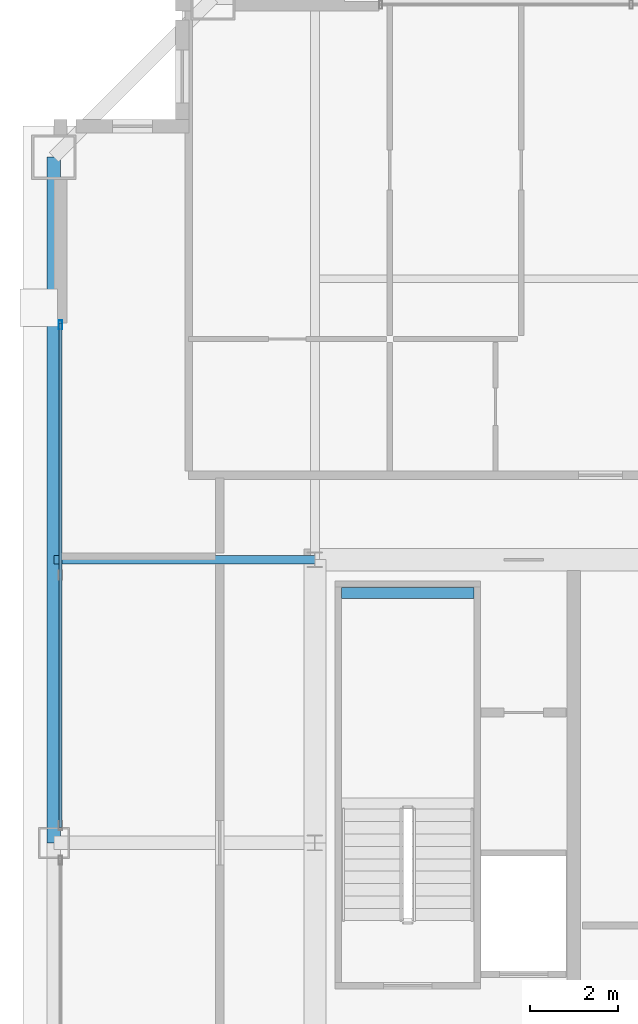
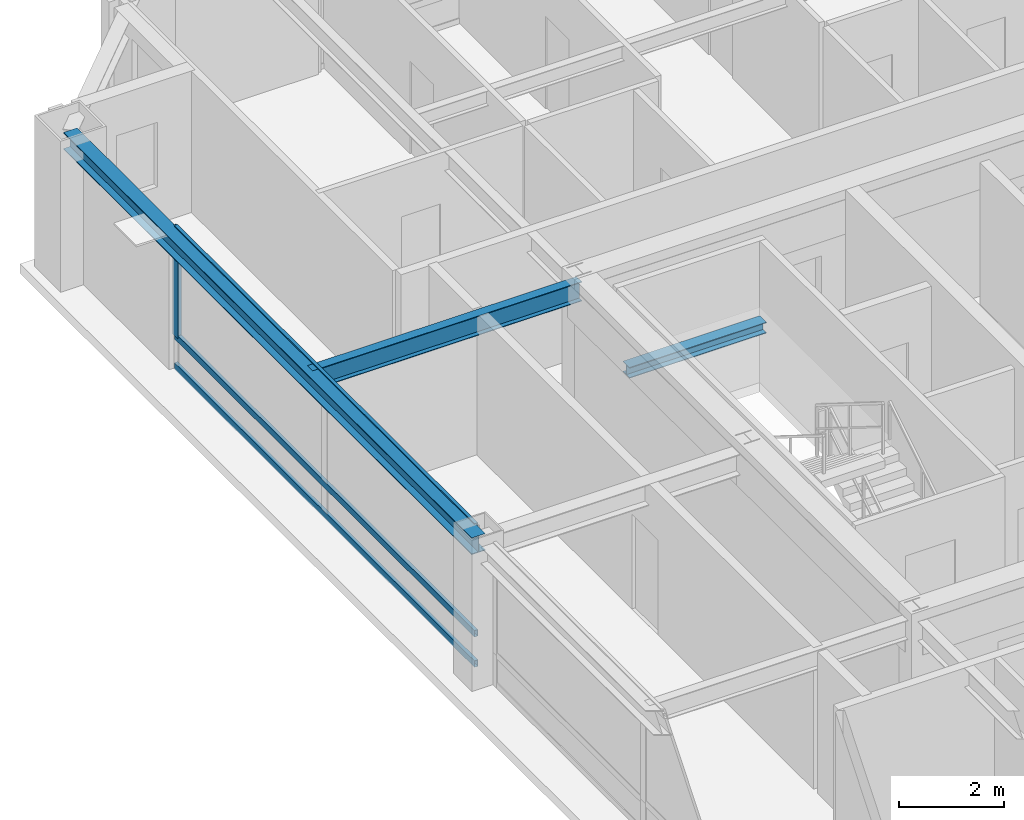
# One storey, part 12 of 35: 4 members, 3 beams, 1 element without a shape of its own.
"""IFC4 building model written with IfcOpenShell, lengths in metres."""

from ifc_helpers import new_model, si_unit, direction, frame, origin, origin_2d, place, context, subcontext, project, spatial, hollow_rectangle, i_section, extrude, source, transform, mapped, material, layer, layer_set, material_profile, profile_set, type_object, element, aggregate, save


model = new_model("IFC4")

# Units and contexts
model_context = context("Model", 3, precision=1e-05, world=origin(), true_north=direction((0.0, 1.0)))
body_context = subcontext(model_context, "Body", "Model", "MODEL_VIEW")
ifc_project = project(units=[si_unit("LENGTHUNIT", "METRE"), si_unit("AREAUNIT", "SQUARE_METRE"), si_unit("VOLUMEUNIT", "CUBIC_METRE"), si_unit("PLANEANGLEUNIT", "RADIAN"), si_unit("MASSUNIT", "GRAM", prefix="KILO"), si_unit("THERMODYNAMICTEMPERATUREUNIT", "KELVIN"), si_unit("POWERUNIT", "WATT")], contexts=[model_context])

# Site, building, storey
site_placement = place(None, origin())
site = spatial("IfcSite", under=ifc_project, at=site_placement, CompositionType="ELEMENT")
building_placement = place(site_placement, origin())
building = spatial("IfcBuilding", under=site, at=building_placement, Name="Yuzanri Waterfront Tower", CompositionType="ELEMENT")
storey_placement = place(building_placement, frame((0.0, 0.0, 332.199951171875)))
storey = spatial("IfcBuildingStorey", under=building, at=storey_placement, Name="L89", CompositionType="ELEMENT", Elevation=332.199951171875)

# Beams
ifc_material_1 = material(Name="Steel Q355B", Category="steel")
ifc_material_profile_1 = material_profile(ifc_material_1, i_section(OverallWidth=0.300048828125, OverallDepth=0.389892578125, WebThickness=0.010009765625, FlangeThickness=0.01611328125, at=origin_2d()), Name="HM 390x300x10x16")
ifc_profile_set_1 = profile_set([ifc_material_profile_1], Name="Steel Q355B")
beam_type_1 = type_object("IfcBeamType", Name="Perimeter Spandrel Q355B HM 390x300", PredefinedType="SPANDREL", material=ifc_profile_set_1)
shared_shape_1 = source(origin(), body_context, "Body", "SweptSolid", [
    extrude(i_section(OverallWidth=0.300048828125, OverallDepth=0.389892578125, WebThickness=0.010009765625, FlangeThickness=0.01611328125, at=origin_2d()), origin(), (0.0, 0.0, 1.0), 15.5),
])
beam_1_placement = place(storey_placement, frame((17.89990234375, 41.300048828125, 3.0849609375), z_axis=(0.0, -1.0, 0.0), x_axis=(1.0, 0.0, 0.0)))
element("IfcBeam", 1, at=beam_1_placement, inside=storey, type_object=beam_type_1, Name="L89 Perimeter Spandrel W3-W2", PredefinedType="SPANDREL", context=body_context, shape_type="MappedRepresentation", body=[
    mapped(shared_shape_1, transform((0.0, 0.0, 0.0), scale=1.0)),
])
ifc_material_2 = material(Name="Steel Q355B", Category="steel")
ifc_material_profile_2 = material_profile(ifc_material_2, i_section(OverallWidth=0.199951171875, OverallDepth=0.449951171875, WebThickness=0.009033203125, FlangeThickness=0.013916015625, at=origin_2d()), Name="HN 450x200x9x14")
ifc_profile_set_2 = profile_set([ifc_material_profile_2], Name="Steel Q355B")
beam_type_2 = type_object("IfcBeamType", Name="Secondary Floor Beam Q355B HN 450x200", PredefinedType="BEAM", material=ifc_profile_set_2)
shared_shape_2 = source(origin(), body_context, "Body", "SweptSolid", [
    extrude(i_section(OverallWidth=0.199951171875, OverallDepth=0.449951171875, WebThickness=0.009033203125, FlangeThickness=0.013916015625, at=origin_2d()), origin(), (0.0, 0.0, 1.0), 5.900146484375),
])
beam_2_placement = place(storey_placement, frame((23.800048828125, 32.199951171875, 3.054931640625), z_axis=(-1.0, 0.0, 0.0), x_axis=(0.0, -1.0, 0.0)))
element("IfcBeam", 2, at=beam_2_placement, inside=storey, type_object=beam_type_2, Name="L89 West-North Core Line Beam", PredefinedType="BEAM", context=body_context, shape_type="MappedRepresentation", body=[
    mapped(shared_shape_2, transform((0.0, 0.0, 0.0), scale=1.0)),
])

# Curtain wall, members
ifc_material_3 = material(Name="Anodized Architectural Bronze", Category="metal")
ifc_layer = layer(ifc_material_3, 0.159912109375)
ifc_layer_set = layer_set([ifc_layer], Name="Anodized Architectural Bronze")
curtain_wall_type = type_object("IfcCurtainWallType", Name="Anodized Bronze High-Rise Penthouse High-Wind Unitized Curtain Wall 6900", PredefinedType="NOTDEFINED", material=ifc_layer_set)
curtain_wall_placement = place(storey_placement, origin())
curtain_wall = element("IfcCurtainWall", 3, at=curtain_wall_placement, inside=storey, type_object=curtain_wall_type, Name="L89 Curtain Wall CW-L89-WR", PredefinedType="NOTDEFINED")
ifc_material_4 = material(Name="Anodized Architectural Bronze", Category="metal")
ifc_material_profile_3 = material_profile(ifc_material_4, hollow_rectangle(XDim=0.074951171875, YDim=0.199951171875, WallThickness=0.00390625, at=origin_2d()), Name="CWM 75x200")
ifc_profile_set_3 = profile_set([ifc_material_profile_3], Name="Anodized Architectural Bronze")
member_type_1 = type_object("IfcMemberType", Name="Anodized Bronze Primary Curtain-Wall Mullion 75x200", PredefinedType="MULLION", material=ifc_profile_set_3)
shared_shape_3 = source(origin(), body_context, "Body", "SweptSolid", [
    extrude(hollow_rectangle(XDim=0.074951171875, YDim=0.199951171875, WallThickness=0.00390625, at=origin_2d()), origin(), (0.0, 0.0, 1.0), 2.52392578125),
])
member_1_placement = place(storey_placement, frame((18.050048828125, 37.510009765625, 0.756103515625), z_axis=(0.0, 0.0, 1.0), x_axis=(1.0, 0.0, 0.0)))
member_1 = element("IfcMember", 4, at=member_1_placement, type_object=member_type_1, Name="CW-L89-WR Upper Mullion 02", PredefinedType="MULLION", context=body_context, shape_type="MappedRepresentation", body=[
    mapped(shared_shape_3, transform((0.0, 0.0, 0.0), scale=1.0)),
])
ifc_material_5 = material(Name="Anodized Architectural Bronze", Category="metal")
ifc_material_profile_4 = material_profile(ifc_material_5, hollow_rectangle(XDim=0.074951171875, YDim=0.14990234375, WallThickness=0.00390625, at=origin_2d()), Name="CWT 75x150")
ifc_profile_set_4 = profile_set([ifc_material_profile_4], Name="Anodized Architectural Bronze")
member_type_2 = type_object("IfcMemberType", Name="Anodized Bronze Primary Curtain-Wall Transom 75x150", PredefinedType="USERDEFINED", material=ifc_profile_set_4)
shared_shape_4 = source(origin(), body_context, "Body", "SweptSolid", [
    extrude(hollow_rectangle(XDim=0.074951171875, YDim=0.14990234375, WallThickness=0.00390625, at=origin_2d()), origin(), (0.0, 0.0, 1.0), 11.400146484375),
])
member_2_placement = place(storey_placement, frame((18.050048828125, 26.14990234375, 0.050048828125), z_axis=(0.0, 1.0, 0.0), x_axis=(-1.0, 0.0, 0.0)))
member_2 = element("IfcMember", 5, at=member_2_placement, type_object=member_type_2, Name="CW-L89-WR Transom 1", ObjectType="TRANSOM", PredefinedType="USERDEFINED", context=body_context, shape_type="MappedRepresentation", body=[
    mapped(shared_shape_4, transform((0.0, 0.0, 0.0), scale=1.0)),
])
member_3_placement = place(storey_placement, frame((18.050048828125, 26.14990234375, 0.754150390625), z_axis=(0.0, 1.0, 0.0), x_axis=(-1.0, 0.0, 0.0)))
member_3 = element("IfcMember", 6, at=member_3_placement, type_object=member_type_2, Name="CW-L89-WR Transom 2", ObjectType="TRANSOM", PredefinedType="USERDEFINED", context=body_context, shape_type="MappedRepresentation", body=[
    mapped(shared_shape_4, transform((0.0, 0.0, 0.0), scale=1.0)),
])
member_4_placement = place(storey_placement, frame((18.050048828125, 26.14990234375, 3.22998046875), z_axis=(0.0, 1.0, 0.0), x_axis=(-1.0, 0.0, 0.0)))
member_4 = element("IfcMember", 7, at=member_4_placement, type_object=member_type_2, Name="CW-L89-WR Transom 3", ObjectType="TRANSOM", PredefinedType="USERDEFINED", context=body_context, shape_type="MappedRepresentation", body=[
    mapped(shared_shape_4, transform((0.0, 0.0, 0.0), scale=1.0)),
])
aggregate(curtain_wall, [member_1, member_2, member_3, member_4])

# Beam
ifc_material_6 = material(Name="Steel Q355B", Category="steel")
ifc_material_profile_5 = material_profile(ifc_material_6, i_section(OverallWidth=0.25, OverallDepth=0.25, WebThickness=0.009033203125, FlangeThickness=0.013916015625, at=origin_2d()), Name="HW 250x250x9x14")
ifc_profile_set_5 = profile_set([ifc_material_profile_5], Name="Steel Q355B")
beam_type_3 = type_object("IfcBeamType", Name="Stair Landing Support Beam Q355B HW 250x250", PredefinedType="BEAM", material=ifc_profile_set_5)
shared_shape_5 = source(origin(), body_context, "Body", "SweptSolid", [
    extrude(i_section(OverallWidth=0.25, OverallDepth=0.25, WebThickness=0.009033203125, FlangeThickness=0.013916015625, at=origin_2d()), origin(), (0.0, 0.0, 1.0), 3.0),
])
beam_3_placement = place(storey_placement, frame((24.39990234375, 31.449951171875, 1.425048828125), z_axis=(1.0, 0.0, 0.0), x_axis=(0.0, 1.0, 0.0)))
element("IfcBeam", 8, at=beam_3_placement, inside=storey, type_object=beam_type_3, Name="L89 Stair Landing Support Beam ST-01-L89-L1-2", PredefinedType="BEAM", context=body_context, shape_type="MappedRepresentation", body=[
    mapped(shared_shape_5, transform((0.0, 0.0, 0.0), scale=1.0)),
])

save(model, "model.ifc")
